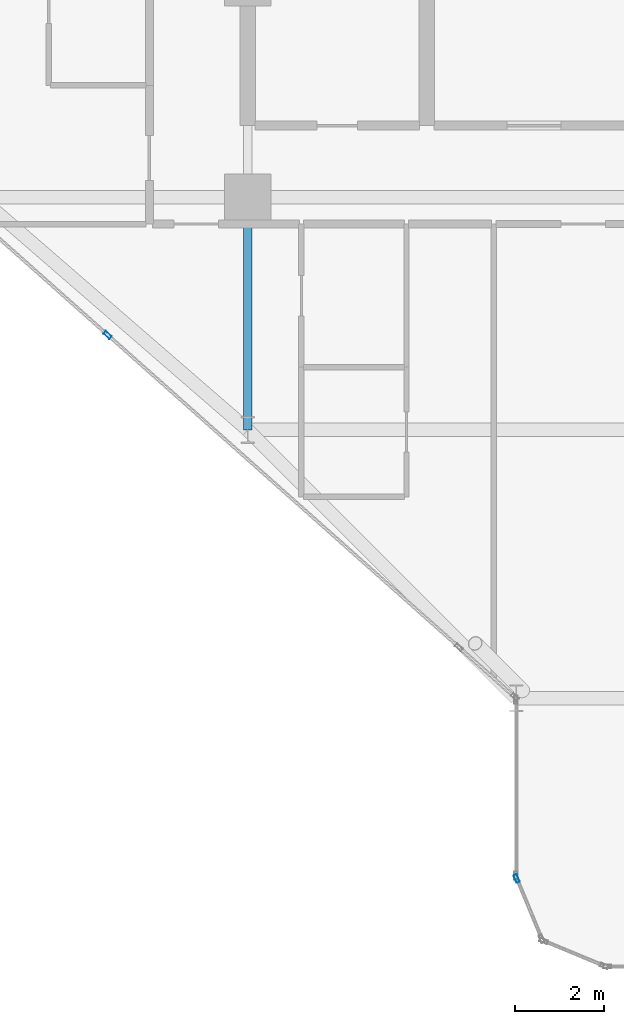
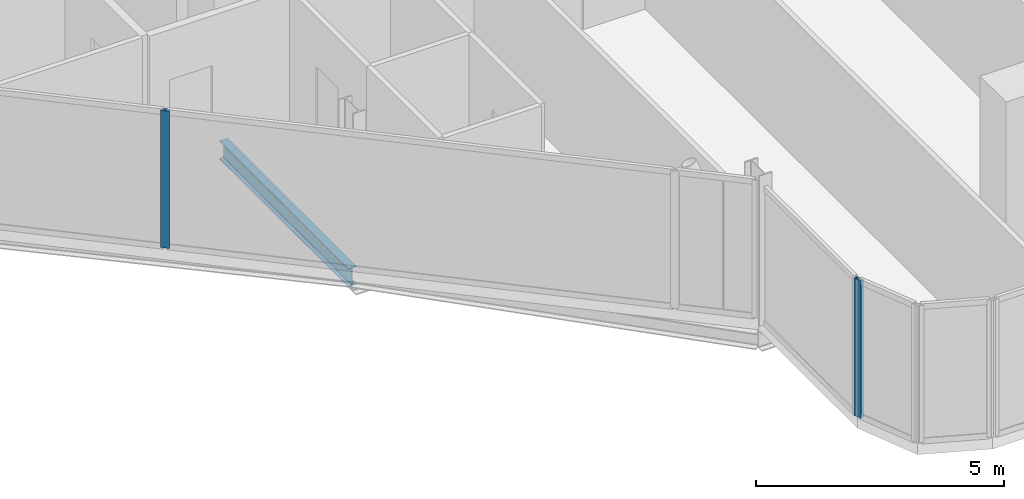
# One storey, part 3 of 30: 2 members, 1 beam, 2 elements without a shape of their own.
"""IFC4 building model written with IfcOpenShell, lengths in metres."""

from ifc_helpers import new_model, si_unit, direction, frame, origin, origin_2d, place, context, subcontext, project, spatial, hollow_rectangle, i_section, extrude, material, layer, layer_set, material_profile, profile_set, type_object, element, aggregate, save


model = new_model("IFC4")

# Units and contexts
model_context = context("Model", 3, precision=1e-05, world=origin(), true_north=direction((0.0, 1.0)))
body_context = subcontext(model_context, "Body", "Model", "MODEL_VIEW")
ifc_project = project(units=[si_unit("LENGTHUNIT", "METRE"), si_unit("AREAUNIT", "SQUARE_METRE"), si_unit("VOLUMEUNIT", "CUBIC_METRE"), si_unit("PLANEANGLEUNIT", "RADIAN"), si_unit("MASSUNIT", "GRAM", prefix="KILO")], contexts=[model_context])

# Site, building, storey
site_placement = place(None, origin())
site = spatial("IfcSite", under=ifc_project, at=site_placement, CompositionType="ELEMENT")
building_placement = place(site_placement, origin())
building = spatial("IfcBuilding", under=site, at=building_placement, Name="Keshet Zoharim Tower", CompositionType="ELEMENT")
storey_placement = place(building_placement, frame((0.0, 0.0, 113.10009765625)))
storey = spatial("IfcBuildingStorey", under=building, at=storey_placement, Name="L27", CompositionType="ELEMENT", Elevation=113.10009765625)

# Beam
ifc_material_1 = material(Name="Steel S355", Category="steel")
ifc_material_profile_1 = material_profile(ifc_material_1, i_section(OverallWidth=0.18994140625, OverallDepth=0.449951171875, WebThickness=0.009521484375, FlangeThickness=0.0146484375, FilletRadius=0.02099609375, at=origin_2d()), Name="IPE450")
ifc_profile_set_1 = profile_set([ifc_material_profile_1], Name="Steel S355")
beam_type = type_object("IfcBeamType", Name="BM-PRI-IP450", PredefinedType="BEAM", material=ifc_profile_set_1)
beam_placement = place(storey_placement, frame((15.0, 12.699951171875, -0.5400390625), z_axis=(0.0, 1.0, 0.0), x_axis=(-1.0, 0.0, 0.0)))
element("IfcBeam", 1, at=beam_placement, inside=storey, type_object=beam_type, Name="L27 Primary Girder Y-002", PredefinedType="BEAM", context=body_context, shape_type="SweptSolid", body=[
    extrude(i_section(OverallWidth=0.18994140625, OverallDepth=0.449951171875, WebThickness=0.009521484375, FlangeThickness=0.0146484375, FilletRadius=0.02099609375, at=origin_2d()), origin(), (0.0, 0.0, 1.0), 5.199951171875),
])

# Curtain wall, member
ifc_material_2 = material(Name="Aluminium 6063-T6", Category="aluminium")
ifc_layer = layer(ifc_material_2, 0.159912109375)
ifc_layer_set = layer_set([ifc_layer], Name="Aluminium 6063-T6")
curtain_wall_type = type_object("IfcCurtainWallType", Name="CW-SYS-03", PredefinedType="NOTDEFINED", material=ifc_layer_set)
curtain_wall_1_placement = place(storey_placement, origin())
curtain_wall_1 = element("IfcCurtainWall", 2, at=curtain_wall_1_placement, inside=storey, type_object=curtain_wall_type, Name="L27 Unitised Curtain Wall 05", PredefinedType="NOTDEFINED")
ifc_material_profile_2 = material_profile(ifc_material_2, hollow_rectangle(XDim=0.080078125, YDim=0.179931640625, WallThickness=0.00439453125, at=origin_2d()), Name="MUL-80x180")
ifc_profile_set_2 = profile_set([ifc_material_profile_2], Name="Aluminium 6063-T6")
member_type = type_object("IfcMemberType", Name="CWM-M18", PredefinedType="MULLION", material=ifc_profile_set_2)
member_1_placement = place(storey_placement, frame((21.013427734375, 2.667724609375, 0.0), z_axis=(0.0, 0.0, 1.0), x_axis=(-0.92380975372, -0.382851849847, 0.0)))
member_1 = element("IfcMember", 3, at=member_1_placement, type_object=member_type, Name="CW-03 mullion 2", PredefinedType="MULLION", context=body_context, shape_type="SweptSolid", body=[
    extrude(hollow_rectangle(XDim=0.080078125, YDim=0.179931640625, WallThickness=0.00439453125, at=origin_2d()), origin(), (0.0, 0.0, 1.0), 3.385009765625),
])
aggregate(curtain_wall_1, [member_1])

curtain_wall_2_placement = place(storey_placement, origin())
curtain_wall_2 = element("IfcCurtainWall", 4, at=curtain_wall_2_placement, inside=storey, type_object=curtain_wall_type, Name="L27 Unitised Curtain Wall 07 Part 2", PredefinedType="NOTDEFINED")
member_2_placement = place(storey_placement, frame((11.864990234375, 14.820068359375, 0.0), z_axis=(0.0, 0.0, 1.0), x_axis=(-0.664361765187, -0.747411161917, 0.0)))
member_2 = element("IfcMember", 5, at=member_2_placement, type_object=member_type, Name="CW-03 mullion 2", PredefinedType="MULLION", context=body_context, shape_type="SweptSolid", body=[
    extrude(hollow_rectangle(XDim=0.080078125, YDim=0.179931640625, WallThickness=0.00439453125, at=origin_2d()), origin(), (0.0, 0.0, 1.0), 3.385009765625),
])
aggregate(curtain_wall_2, [member_2])

save(model, "model.ifc")
